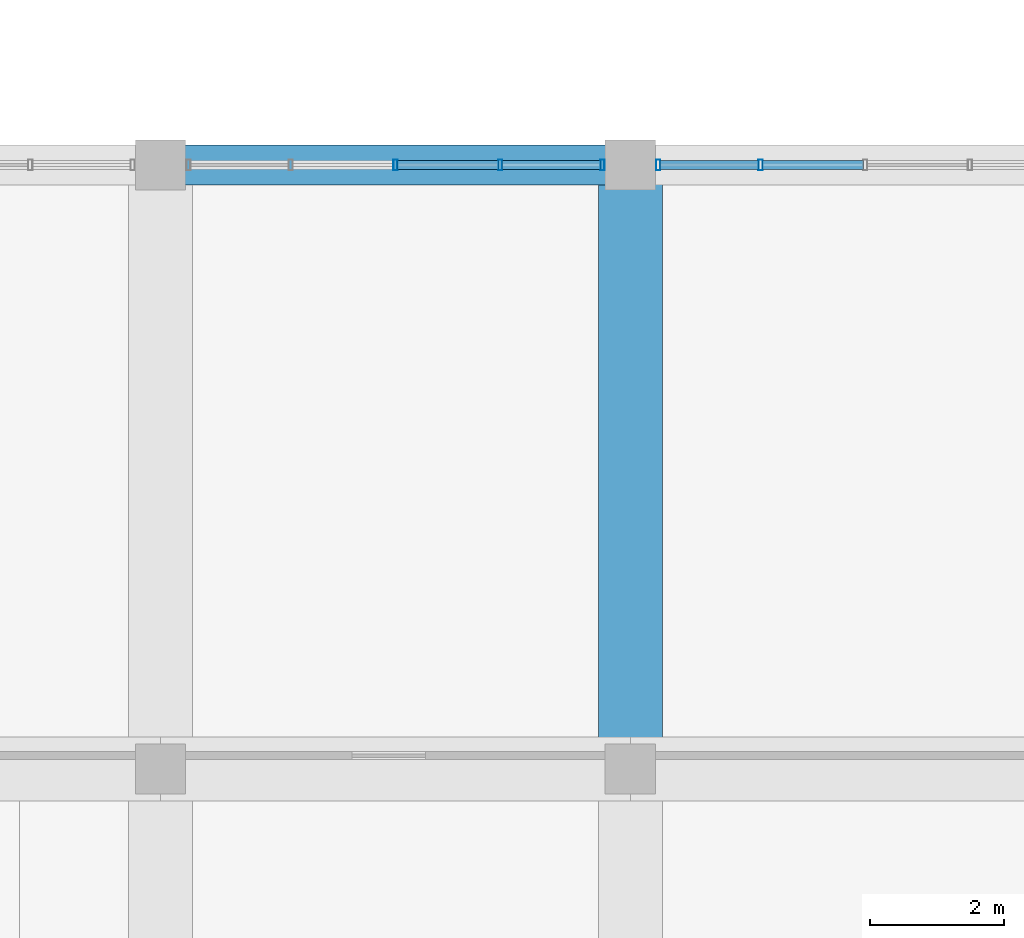
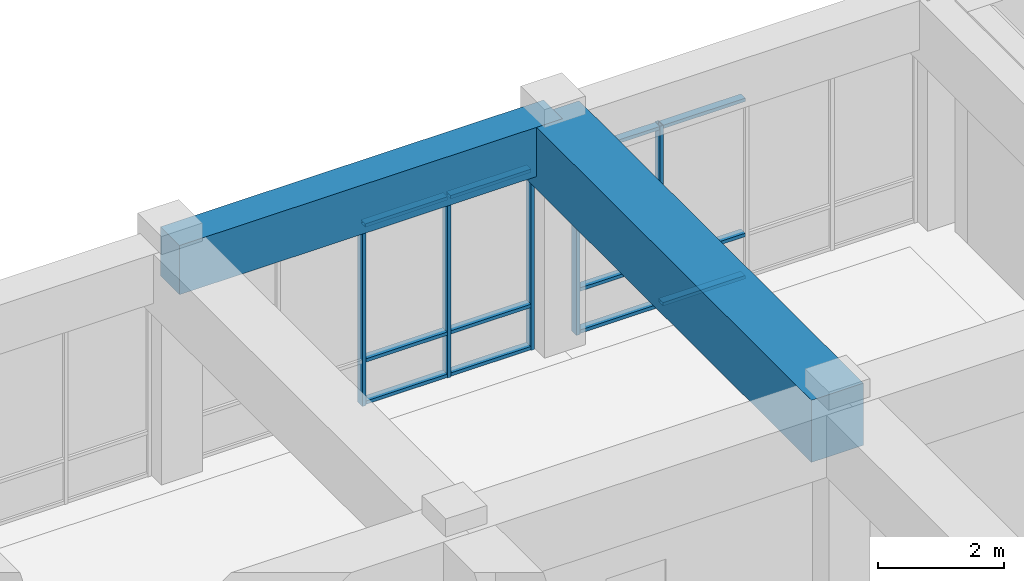
# One storey, part 59 of 104: 17 members, 2 beams, 2 elements without a shape of their own.
"""IFC4 building model written with IfcOpenShell, lengths in metres."""

import ifcopenshell
import ifcopenshell.guid

model = None  # the IFC model being written
_history = None  # IfcOwnerHistory: only IFC2X3 demands one
_inside = {}  # id of a spatial element -> (the spatial element, [elements in it])
_under = {}  # id of a project, library or spatial element -> (it, [spatial elements below it])
_declared = {}  # id of a project -> (the project, [libraries it declares])
_typed = {}  # id of a type object -> (the type object, [elements of that type])
_made_of = {}  # id of a material, layer set ... -> (it, [elements and type objects made of it])


def new_model(schema):
    """Start an empty IFC model of exactly this schema.

    Asked for "IFC4X3", IfcOpenShell would pick the latest addendum, in which some entities
    have other attributes; the version numbers below select the first issue.
    IFC2X3 requires an IfcOwnerHistory on every rooted entity: one is made here for all.
    """
    global model, _history
    if schema == "IFC4X3":
        model = ifcopenshell.file(schema_version=(4, 3, 0, 0))
    else:
        model = ifcopenshell.file(schema=schema)
    _inside.clear()
    _under.clear()
    _declared.clear()
    _typed.clear()
    _made_of.clear()
    _history = None
    if model.schema == "IFC2X3":
        org = make("IfcOrganization", Name="unknown")
        user = make(
            "IfcPersonAndOrganization",
            ThePerson=make("IfcPerson", FamilyName="unknown"),
            TheOrganization=org,
        )
        app = make(
            "IfcApplication",
            ApplicationDeveloper=org,
            Version="unknown",
            ApplicationFullName="unknown",
            ApplicationIdentifier="unknown",
        )
        _history = make(
            "IfcOwnerHistory",
            OwningUser=user,
            OwningApplication=app,
            ChangeAction="ADDED",
            CreationDate=0,
        )
    return model


def make(cls, **values):
    """One entity of the class cls with the attributes given. An attribute that is None is left unset."""
    return model.create_entity(
        cls, **{name: value for name, value in values.items() if value is not None}
    )


def rooted(cls, **values):
    """An entity with a GlobalId (a new one), such as an element, a storey or a relation."""
    return make(cls, GlobalId=ifcopenshell.guid.new(), OwnerHistory=_history, **values)


def si_unit(unit_type, name, prefix=None):
    """IfcSIUnit, for example si_unit("LENGTHUNIT", "METRE", prefix="MILLI")."""
    return make("IfcSIUnit", UnitType=unit_type, Prefix=prefix, Name=name)


def assignment(units):
    """IfcUnitAssignment: the units of a project."""
    return None if units is None else make("IfcUnitAssignment", Units=units)


def point(xyz):
    """IfcCartesianPoint."""
    return None if xyz is None else make("IfcCartesianPoint", Coordinates=xyz)


def direction(xyz):
    """IfcDirection."""
    return None if xyz is None else make("IfcDirection", DirectionRatios=xyz)


def frame(location, z_axis=None, x_axis=None):
    """IfcAxis2Placement3D, a coordinate frame: its origin and axes. An axis left out is left unset."""
    return make(
        "IfcAxis2Placement3D",
        Location=point(location),
        Axis=direction(z_axis),
        RefDirection=direction(x_axis),
    )


def frame_2d(location, x_axis=None):
    """IfcAxis2Placement2D, a coordinate frame in the plane: its origin and x axis."""
    return make(
        "IfcAxis2Placement2D", Location=point(location), RefDirection=direction(x_axis)
    )


def origin():
    """The frame at (0, 0, 0) with its axes left unset."""
    return frame((0.0, 0.0, 0.0))


def origin_2d():
    """The frame at (0, 0) in the plane with its x axis left unset."""
    return frame_2d((0.0, 0.0))


def place(relative_to, where):
    """IfcLocalPlacement: puts the frame where relative to a parent placement (None: the world)."""
    return make(
        "IfcLocalPlacement", PlacementRelTo=relative_to, RelativePlacement=where
    )


def context(
    kind, dimensions, precision=None, world=None, true_north=None, identifier=None
):
    """IfcGeometricRepresentationContext, for example the 3D "Model" context."""
    return make(
        "IfcGeometricRepresentationContext",
        ContextIdentifier=identifier,
        ContextType=kind,
        CoordinateSpaceDimension=dimensions,
        Precision=precision,
        WorldCoordinateSystem=world,
        TrueNorth=true_north,
    )


def subcontext(parent, identifier, kind, view, scale=None):
    """IfcGeometricRepresentationSubContext, for example "Body" below "Model"."""
    return make(
        "IfcGeometricRepresentationSubContext",
        ContextIdentifier=identifier,
        ContextType=kind,
        ParentContext=parent,
        TargetScale=scale,
        TargetView=view,
    )


def project(units=None, contexts=None):
    """IfcProject with its units and contexts."""
    return rooted(
        "IfcProject",
        Name="project",
        RepresentationContexts=contexts,
        UnitsInContext=assignment(units),
    )


def spatial(cls, under=None, at=None, **own):
    """A site, building, storey or space (cls), placed at a placement, below another one or the project."""
    s = rooted(cls, ObjectPlacement=at, **own)
    if under is not None:
        _under.setdefault(under.id(), (under, []))[1].append(s)
    return s


def profile(cls, at=None, kind="AREA", **sizes):
    """A parametric profile (cls). Its sizes go by their IFC names, for example OverallWidth=200.0."""
    return make(cls, ProfileType=kind, Position=at, **sizes)


def rectangle(**sizes):
    """IfcRectangleProfileDef."""
    return profile("IfcRectangleProfileDef", **sizes)


def hollow_rectangle(**sizes):
    """IfcRectangleHollowProfileDef."""
    return profile("IfcRectangleHollowProfileDef", **sizes)


def extrude(swept, where, along, depth):
    """IfcExtrudedAreaSolid: the profile swept, set in the frame where, extruded along a direction by depth."""
    return make(
        "IfcExtrudedAreaSolid",
        SweptArea=swept,
        Position=where,
        ExtrudedDirection=direction(along),
        Depth=depth,
    )


def shape(context_of_items, identifier, shape_type, items):
    """IfcShapeRepresentation: the items that make up one representation, for example the "Body"."""
    return make(
        "IfcShapeRepresentation",
        ContextOfItems=context_of_items,
        RepresentationIdentifier=identifier,
        RepresentationType=shape_type,
        Items=items,
    )


def material(Name=None, Category=None):
    """IfcMaterial."""
    return make("IfcMaterial", Name=Name, Category=Category)


def layer(
    of_material, thickness, ventilated=None, Name=None, Category=None, Priority=None
):
    """IfcMaterialLayer: one layer of a wall or slab, of a material (None: an air gap)."""
    return make(
        "IfcMaterialLayer",
        Material=of_material,
        LayerThickness=thickness,
        IsVentilated=ventilated,
        Name=Name,
        Category=Category,
        Priority=Priority,
    )


def layer_set(layers, Name=None):
    """IfcMaterialLayerSet."""
    return make("IfcMaterialLayerSet", MaterialLayers=layers, LayerSetName=Name)


def material_profile(
    of_material, cross_section, Name=None, Category=None, Priority=None
):
    """IfcMaterialProfile: a cross section and its material."""
    return make(
        "IfcMaterialProfile",
        Name=Name,
        Material=of_material,
        Profile=cross_section,
        Priority=Priority,
        Category=Category,
    )


def profile_set(profiles, Name=None, composite=None):
    """IfcMaterialProfileSet."""
    return make(
        "IfcMaterialProfileSet",
        Name=Name,
        MaterialProfiles=profiles,
        CompositeProfile=composite,
    )


def made_of(thing, what):
    """Note that an element or type object is made of a material, layer set ...; save() writes the relation."""
    if what is not None:
        _made_of.setdefault(what.id(), (what, []))[1].append(thing)
    return thing


def type_object(cls, material=None, **own):
    """A type object (cls), such as IfcWallType, which elements share."""
    return made_of(rooted(cls, **own), material)


def element(
    cls,
    number,
    at=None,
    inside=None,
    cuts=None,
    type_object=None,
    material=None,
    context=None,
    identifier="Body",
    shape_type=None,
    held_by="IfcProductDefinitionShape",
    body=None,
    shapes=None,
    **own,
):
    """One element of the class cls, such as IfcWall. Its Tag is "e" and its number.

    at: its placement. inside: the storey or other place that contains it. cuts: it is an
    opening in that element (IfcRelVoidsElement). A single representation is given by context,
    identifier, shape_type and body (its items); several are given by shapes. held_by: the class
    of the entity that holds the representations. save() writes the other relations.
    """
    e = rooted(cls, Tag="e%d" % number, ObjectPlacement=at, **own)
    if body is not None:
        shapes = [shape(context, identifier, shape_type, body)]
    if shapes is not None:
        e.Representation = make(held_by, Representations=shapes)
    if inside is not None:
        _inside.setdefault(inside.id(), (inside, []))[1].append(e)
    if cuts is not None:
        rooted(
            "IfcRelVoidsElement", RelatingBuildingElement=cuts, RelatedOpeningElement=e
        )
    if type_object is not None:
        _typed.setdefault(type_object.id(), (type_object, []))[1].append(e)
    return made_of(e, material)


def aggregate(whole, parts):
    """IfcRelAggregates: a whole, such as a stair, and the parts it consists of."""
    return rooted("IfcRelAggregates", RelatingObject=whole, RelatedObjects=parts)


def save(model, path):
    """Write the relations noted so far, then the file.

    IfcRelAggregates (storeys below a building ...), IfcRelContainedInSpatialStructure (elements
    in a storey), IfcRelDefinesByType, IfcRelAssociatesMaterial and IfcRelDeclares: one each for
    every whole, place, type object, material and project.
    """
    for whole, parts in _under.values():
        aggregate(whole, parts)
    for where, things in _inside.values():
        rooted(
            "IfcRelContainedInSpatialStructure",
            RelatedElements=things,
            RelatingStructure=where,
        )
    for kind, things in _typed.values():
        rooted("IfcRelDefinesByType", RelatedObjects=things, RelatingType=kind)
    for what, things in _made_of.values():
        rooted("IfcRelAssociatesMaterial", RelatedObjects=things, RelatingMaterial=what)
    for by, libraries in _declared.values():
        rooted("IfcRelDeclares", RelatingContext=by, RelatedDefinitions=libraries)
    model.write(path)


model = new_model("IFC4")

# Units and contexts
model_context = context("Model", 3, precision=1e-05, world=origin(), true_north=direction((0.0, 1.0)))
body_context = subcontext(model_context, "Body", "Model", "MODEL_VIEW")
ifc_project = project(units=[si_unit("LENGTHUNIT", "METRE"), si_unit("AREAUNIT", "SQUARE_METRE"), si_unit("VOLUMEUNIT", "CUBIC_METRE"), si_unit("PLANEANGLEUNIT", "RADIAN"), si_unit("MASSUNIT", "GRAM", prefix="KILO")], contexts=[model_context])

# Site, building, storey
site_placement = place(None, origin())
site = spatial("IfcSite", under=ifc_project, at=site_placement, CompositionType="ELEMENT")
building_placement = place(site_placement, origin())
building = spatial("IfcBuilding", under=site, at=building_placement, Name="Ventoquebrada Cableway Terminal", CompositionType="ELEMENT")
storey_placement = place(building_placement, frame((0.0, 0.0, 4.800048828125)))
storey = spatial("IfcBuildingStorey", under=building, at=storey_placement, Name="L01", CompositionType="ELEMENT", Elevation=4.800048828125)

# Beams
ifc_material_1 = material(Name="Concrete C40/50", Category="concrete")
ifc_material_profile_1 = material_profile(ifc_material_1, rectangle(XDim=0.60009765625, YDim=0.949951171875, at=origin_2d()), Name="RC-BM-600X950")
ifc_profile_set_1 = profile_set([ifc_material_profile_1], Name="Concrete C40/50")
beam_type_1 = type_object("IfcBeamType", Name="BM-RC05", PredefinedType="BEAM", material=ifc_profile_set_1)
beam_1_placement = place(storey_placement, frame((102.0, 104.0, 3.974853515625), z_axis=(1.0, 0.0, 0.0), x_axis=(0.0, 1.0, 0.0)))
element("IfcBeam", 1, at=beam_1_placement, inside=storey, type_object=beam_type_1, Name="Perimeter spandrel beam FBM-0640", PredefinedType="BEAM", context=body_context, shape_type="SweptSolid", body=[
    extrude(rectangle(XDim=0.60009765625, YDim=0.949951171875, at=origin_2d()), origin(), (0.0, 0.0, 1.0), 7.0),
])
ifc_material_profile_2 = material_profile(ifc_material_1, rectangle(XDim=0.949951171875, YDim=1.199951171875, at=origin_2d()), Name="RC-BM-950X1200")
ifc_profile_set_2 = profile_set([ifc_material_profile_2], Name="Concrete C40/50")
beam_type_2 = type_object("IfcBeamType", Name="BM-RC06", PredefinedType="BEAM", material=ifc_profile_set_2)
beam_2_placement = place(storey_placement, frame((109.0, 95.0, 3.849853515625), z_axis=(0.0, 1.0, 0.0), x_axis=(-1.0, 0.0, 0.0)))
element("IfcBeam", 2, at=beam_2_placement, inside=storey, type_object=beam_type_2, Name="Primary frame girder FBM-0654", PredefinedType="BEAM", context=body_context, shape_type="SweptSolid", body=[
    extrude(rectangle(XDim=0.949951171875, YDim=1.199951171875, at=origin_2d()), origin(), (0.0, 0.0, 1.0), 9.0),
])

# Curtain wall, members
ifc_material_2 = material(Name="Anodized thermally-broken aluminium", Category="aluminium")
ifc_layer = layer(ifc_material_2, 0.159912109375)
ifc_layer_set = layer_set([ifc_layer], Name="Anodized thermally-broken aluminium")
curtain_wall_type = type_object("IfcCurtainWallType", Name="CW-T27", PredefinedType="USERDEFINED", material=ifc_layer_set)
curtain_wall_1_placement = place(storey_placement, origin())
curtain_wall_1 = element("IfcCurtainWall", 3, at=curtain_wall_1_placement, inside=storey, type_object=curtain_wall_type, Name="Unitised glazed curtain wall CW-064", ObjectType="UNITISED CURTAIN WALL", PredefinedType="USERDEFINED")
ifc_material_profile_3 = material_profile(ifc_material_2, hollow_rectangle(XDim=0.06494140625, YDim=0.159912109375, WallThickness=0.00390625, at=origin_2d()), Name="CW-MUL-65X160")
ifc_profile_set_3 = profile_set([ifc_material_profile_3], Name="Anodized thermally-broken aluminium")
member_type_1 = type_object("IfcMemberType", Name="CWM-01", PredefinedType="MULLION", material=ifc_profile_set_3)
member_1_placement = place(storey_placement, frame((108.5849609375, 104.0, -0.008056640625), z_axis=(0.0, 0.0, 1.0), x_axis=(-1.0, 0.0, 0.0)))
member_1 = element("IfcMember", 4, at=member_1_placement, type_object=member_type_1, Name="Curtain wall mullion FML-0297", PredefinedType="MULLION", context=body_context, shape_type="SweptSolid", body=[
    extrude(hollow_rectangle(XDim=0.06494140625, YDim=0.159912109375, WallThickness=0.00390625, at=origin_2d()), origin(), (0.0, 0.0, 1.0), 3.508056640625),
])
member_2_placement = place(storey_placement, frame((107.06005859375, 104.0, -0.008056640625), z_axis=(0.0, 0.0, 1.0), x_axis=(-1.0, 0.0, 0.0)))
member_2 = element("IfcMember", 5, at=member_2_placement, type_object=member_type_1, Name="Curtain wall mullion FML-0298", PredefinedType="MULLION", context=body_context, shape_type="SweptSolid", body=[
    extrude(hollow_rectangle(XDim=0.06494140625, YDim=0.159912109375, WallThickness=0.00390625, at=origin_2d()), origin(), (0.0, 0.0, 1.0), 3.508056640625),
])
member_3_placement = place(storey_placement, frame((105.5, 104.0, -0.008056640625), z_axis=(0.0, 0.0, 1.0), x_axis=(-1.0, 0.0, 0.0)))
member_3 = element("IfcMember", 6, at=member_3_placement, type_object=member_type_1, Name="Curtain wall mullion FML-0299", PredefinedType="MULLION", context=body_context, shape_type="SweptSolid", body=[
    extrude(hollow_rectangle(XDim=0.06494140625, YDim=0.159912109375, WallThickness=0.00390625, at=origin_2d()), origin(), (0.0, 0.0, 1.0), 3.508056640625),
])

curtain_wall_2_placement = place(storey_placement, origin())
curtain_wall_2 = element("IfcCurtainWall", 7, at=curtain_wall_2_placement, inside=storey, type_object=curtain_wall_type, Name="Unitised glazed curtain wall CW-065", ObjectType="UNITISED CURTAIN WALL", PredefinedType="USERDEFINED")
member_4_placement = place(storey_placement, frame((110.93994140625, 104.0, -0.008056640625), z_axis=(0.0, 0.0, 1.0), x_axis=(-1.0, 0.0, 0.0)))
member_4 = element("IfcMember", 8, at=member_4_placement, type_object=member_type_1, Name="Curtain wall mullion FML-0305", PredefinedType="MULLION", context=body_context, shape_type="SweptSolid", body=[
    extrude(hollow_rectangle(XDim=0.06494140625, YDim=0.159912109375, WallThickness=0.00390625, at=origin_2d()), origin(), (0.0, 0.0, 1.0), 3.508056640625),
])
member_5_placement = place(storey_placement, frame((109.4150390625, 104.0, -0.008056640625), z_axis=(0.0, 0.0, 1.0), x_axis=(-1.0, 0.0, 0.0)))
member_5 = element("IfcMember", 9, at=member_5_placement, type_object=member_type_1, Name="Curtain wall mullion FML-0306", PredefinedType="MULLION", context=body_context, shape_type="SweptSolid", body=[
    extrude(hollow_rectangle(XDim=0.06494140625, YDim=0.159912109375, WallThickness=0.00390625, at=origin_2d()), origin(), (0.0, 0.0, 1.0), 3.508056640625),
])

# Member
ifc_material_profile_4 = material_profile(ifc_material_2, hollow_rectangle(XDim=0.06494140625, YDim=0.139892578125, WallThickness=0.00390625, at=origin_2d()), Name="CW-TRN-65X140")
ifc_profile_set_4 = profile_set([ifc_material_profile_4], Name="Anodized thermally-broken aluminium")
member_type_2 = type_object("IfcMemberType", Name="CWT-01", PredefinedType="USERDEFINED", material=ifc_profile_set_4)
member_6_placement = place(storey_placement, frame((108.55810546875, 104.0, 0.034912109375), z_axis=(-1.0, 0.0, 0.0), x_axis=(0.0, 0.0, 1.0)))
member_6 = element("IfcMember", 10, at=member_6_placement, type_object=member_type_2, Name="Curtain wall transom FTR-0874", ObjectType="TRANSOM", PredefinedType="USERDEFINED", context=body_context, shape_type="SweptSolid", body=[
    extrude(hollow_rectangle(XDim=0.06494140625, YDim=0.139892578125, WallThickness=0.00390625, at=origin_2d()), origin(), (0.0, 0.0, 1.0), 1.47021484375),
])

member_7_placement = place(storey_placement, frame((108.55810546875, 104.0, 0.849853515625), z_axis=(-1.0, 0.0, 0.0), x_axis=(0.0, 0.0, 1.0)))
member_7 = element("IfcMember", 11, at=member_7_placement, type_object=member_type_2, Name="Curtain wall transom FTR-0875", ObjectType="TRANSOM", PredefinedType="USERDEFINED", context=body_context, shape_type="SweptSolid", body=[
    extrude(hollow_rectangle(XDim=0.06494140625, YDim=0.139892578125, WallThickness=0.00390625, at=origin_2d()), origin(), (0.0, 0.0, 1.0), 1.47021484375),
])

member_8_placement = place(storey_placement, frame((108.55810546875, 104.0, 3.4599609375), z_axis=(-1.0, 0.0, 0.0), x_axis=(0.0, 0.0, 1.0)))
member_8 = element("IfcMember", 12, at=member_8_placement, type_object=member_type_2, Name="Curtain wall transom FTR-0876", ObjectType="TRANSOM", PredefinedType="USERDEFINED", context=body_context, shape_type="SweptSolid", body=[
    extrude(hollow_rectangle(XDim=0.06494140625, YDim=0.139892578125, WallThickness=0.00390625, at=origin_2d()), origin(), (0.0, 0.0, 1.0), 1.47021484375),
])

member_9_placement = place(storey_placement, frame((107.031982421875, 104.0, 0.034912109375), z_axis=(-1.0, 0.0, 0.0), x_axis=(0.0, 0.0, 1.0)))
member_9 = element("IfcMember", 13, at=member_9_placement, type_object=member_type_2, Name="Curtain wall transom FTR-0877", ObjectType="TRANSOM", PredefinedType="USERDEFINED", context=body_context, shape_type="SweptSolid", body=[
    extrude(hollow_rectangle(XDim=0.06494140625, YDim=0.139892578125, WallThickness=0.00390625, at=origin_2d()), origin(), (0.0, 0.0, 1.0), 1.50390625),
])

member_10_placement = place(storey_placement, frame((107.031982421875, 104.0, 0.849853515625), z_axis=(-1.0, 0.0, 0.0), x_axis=(0.0, 0.0, 1.0)))
member_10 = element("IfcMember", 14, at=member_10_placement, type_object=member_type_2, Name="Curtain wall transom FTR-0878", ObjectType="TRANSOM", PredefinedType="USERDEFINED", context=body_context, shape_type="SweptSolid", body=[
    extrude(hollow_rectangle(XDim=0.06494140625, YDim=0.139892578125, WallThickness=0.00390625, at=origin_2d()), origin(), (0.0, 0.0, 1.0), 1.50390625),
])

member_11_placement = place(storey_placement, frame((107.031982421875, 104.0, 3.4599609375), z_axis=(-1.0, 0.0, 0.0), x_axis=(0.0, 0.0, 1.0)))
member_11 = element("IfcMember", 15, at=member_11_placement, type_object=member_type_2, Name="Curtain wall transom FTR-0879", ObjectType="TRANSOM", PredefinedType="USERDEFINED", context=body_context, shape_type="SweptSolid", body=[
    extrude(hollow_rectangle(XDim=0.06494140625, YDim=0.139892578125, WallThickness=0.00390625, at=origin_2d()), origin(), (0.0, 0.0, 1.0), 1.50390625),
])

aggregate(curtain_wall_1, [member_1, member_2, member_3, member_6, member_7, member_8, member_9, member_10, member_11])

member_12_placement = place(storey_placement, frame((112.471923828125, 104.0, 0.034912109375), z_axis=(-1.0, 0.0, 0.0), x_axis=(0.0, 0.0, 1.0)))
member_12 = element("IfcMember", 16, at=member_12_placement, type_object=member_type_2, Name="Curtain wall transom FTR-0892", ObjectType="TRANSOM", PredefinedType="USERDEFINED", context=body_context, shape_type="SweptSolid", body=[
    extrude(hollow_rectangle(XDim=0.06494140625, YDim=0.139892578125, WallThickness=0.00390625, at=origin_2d()), origin(), (0.0, 0.0, 1.0), 1.50390625),
])

member_13_placement = place(storey_placement, frame((112.471923828125, 104.0, 0.849853515625), z_axis=(-1.0, 0.0, 0.0), x_axis=(0.0, 0.0, 1.0)))
member_13 = element("IfcMember", 17, at=member_13_placement, type_object=member_type_2, Name="Curtain wall transom FTR-0893", ObjectType="TRANSOM", PredefinedType="USERDEFINED", context=body_context, shape_type="SweptSolid", body=[
    extrude(hollow_rectangle(XDim=0.06494140625, YDim=0.139892578125, WallThickness=0.00390625, at=origin_2d()), origin(), (0.0, 0.0, 1.0), 1.50390625),
])

member_14_placement = place(storey_placement, frame((112.471923828125, 104.0, 3.4599609375), z_axis=(-1.0, 0.0, 0.0), x_axis=(0.0, 0.0, 1.0)))
member_14 = element("IfcMember", 18, at=member_14_placement, type_object=member_type_2, Name="Curtain wall transom FTR-0894", ObjectType="TRANSOM", PredefinedType="USERDEFINED", context=body_context, shape_type="SweptSolid", body=[
    extrude(hollow_rectangle(XDim=0.06494140625, YDim=0.139892578125, WallThickness=0.00390625, at=origin_2d()), origin(), (0.0, 0.0, 1.0), 1.50390625),
])

member_15_placement = place(storey_placement, frame((110.912109375, 104.0, 0.034912109375), z_axis=(-1.0, 0.0, 0.0), x_axis=(0.0, 0.0, 1.0)))
member_15 = element("IfcMember", 19, at=member_15_placement, type_object=member_type_2, Name="Curtain wall transom FTR-0895", ObjectType="TRANSOM", PredefinedType="USERDEFINED", context=body_context, shape_type="SweptSolid", body=[
    extrude(hollow_rectangle(XDim=0.06494140625, YDim=0.139892578125, WallThickness=0.00390625, at=origin_2d()), origin(), (0.0, 0.0, 1.0), 1.47021484375),
])

member_16_placement = place(storey_placement, frame((110.912109375, 104.0, 0.849853515625), z_axis=(-1.0, 0.0, 0.0), x_axis=(0.0, 0.0, 1.0)))
member_16 = element("IfcMember", 20, at=member_16_placement, type_object=member_type_2, Name="Curtain wall transom FTR-0896", ObjectType="TRANSOM", PredefinedType="USERDEFINED", context=body_context, shape_type="SweptSolid", body=[
    extrude(hollow_rectangle(XDim=0.06494140625, YDim=0.139892578125, WallThickness=0.00390625, at=origin_2d()), origin(), (0.0, 0.0, 1.0), 1.47021484375),
])

member_17_placement = place(storey_placement, frame((110.912109375, 104.0, 3.4599609375), z_axis=(-1.0, 0.0, 0.0), x_axis=(0.0, 0.0, 1.0)))
member_17 = element("IfcMember", 21, at=member_17_placement, type_object=member_type_2, Name="Curtain wall transom FTR-0897", ObjectType="TRANSOM", PredefinedType="USERDEFINED", context=body_context, shape_type="SweptSolid", body=[
    extrude(hollow_rectangle(XDim=0.06494140625, YDim=0.139892578125, WallThickness=0.00390625, at=origin_2d()), origin(), (0.0, 0.0, 1.0), 1.47021484375),
])

aggregate(curtain_wall_2, [member_4, member_5, member_12, member_13, member_14, member_15, member_16, member_17])

save(model, "model.ifc")
